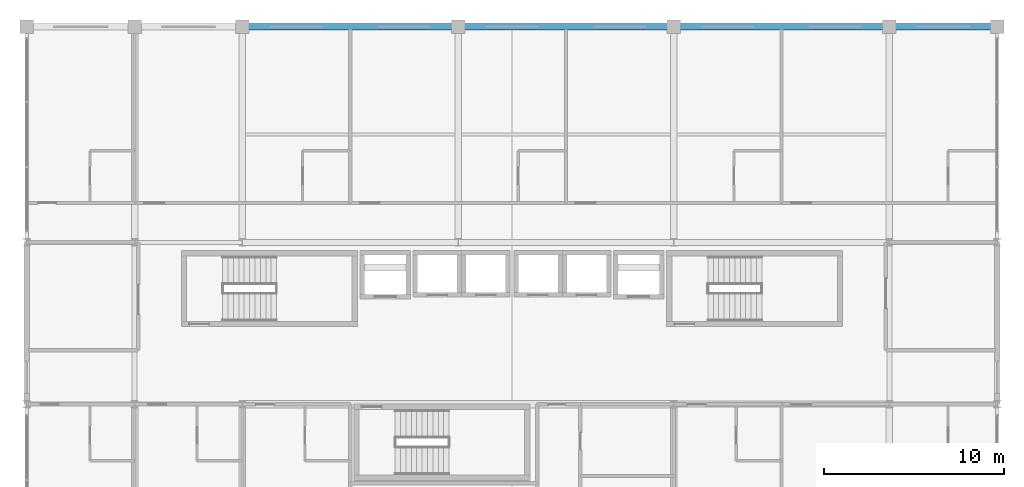
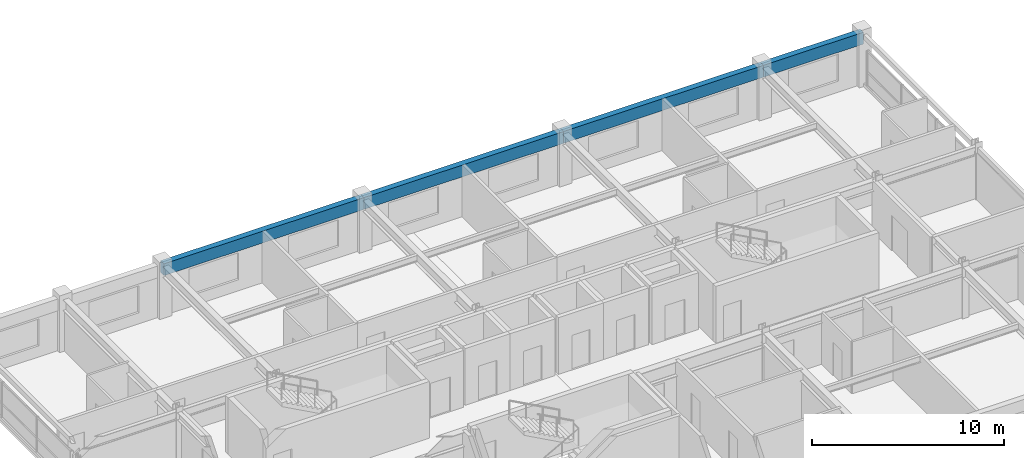
# One storey, part 13 of 20: 4 beams.
"""IFC4 building model written with IfcOpenShell, lengths in metres."""

import ifcopenshell
import ifcopenshell.guid

model = None  # the IFC model being written
_history = None  # IfcOwnerHistory: only IFC2X3 demands one
_inside = {}  # id of a spatial element -> (the spatial element, [elements in it])
_under = {}  # id of a project, library or spatial element -> (it, [spatial elements below it])
_declared = {}  # id of a project -> (the project, [libraries it declares])
_typed = {}  # id of a type object -> (the type object, [elements of that type])
_made_of = {}  # id of a material, layer set ... -> (it, [elements and type objects made of it])


def new_model(schema):
    """Start an empty IFC model of exactly this schema.

    Asked for "IFC4X3", IfcOpenShell would pick the latest addendum, in which some entities
    have other attributes; the version numbers below select the first issue.
    IFC2X3 requires an IfcOwnerHistory on every rooted entity: one is made here for all.
    """
    global model, _history
    if schema == "IFC4X3":
        model = ifcopenshell.file(schema_version=(4, 3, 0, 0))
    else:
        model = ifcopenshell.file(schema=schema)
    _inside.clear()
    _under.clear()
    _declared.clear()
    _typed.clear()
    _made_of.clear()
    _history = None
    if model.schema == "IFC2X3":
        org = make("IfcOrganization", Name="unknown")
        user = make(
            "IfcPersonAndOrganization",
            ThePerson=make("IfcPerson", FamilyName="unknown"),
            TheOrganization=org,
        )
        app = make(
            "IfcApplication",
            ApplicationDeveloper=org,
            Version="unknown",
            ApplicationFullName="unknown",
            ApplicationIdentifier="unknown",
        )
        _history = make(
            "IfcOwnerHistory",
            OwningUser=user,
            OwningApplication=app,
            ChangeAction="ADDED",
            CreationDate=0,
        )
    return model


def make(cls, **values):
    """One entity of the class cls with the attributes given. An attribute that is None is left unset."""
    return model.create_entity(
        cls, **{name: value for name, value in values.items() if value is not None}
    )


def rooted(cls, **values):
    """An entity with a GlobalId (a new one), such as an element, a storey or a relation."""
    return make(cls, GlobalId=ifcopenshell.guid.new(), OwnerHistory=_history, **values)


def si_unit(unit_type, name, prefix=None):
    """IfcSIUnit, for example si_unit("LENGTHUNIT", "METRE", prefix="MILLI")."""
    return make("IfcSIUnit", UnitType=unit_type, Prefix=prefix, Name=name)


def assignment(units):
    """IfcUnitAssignment: the units of a project."""
    return None if units is None else make("IfcUnitAssignment", Units=units)


def point(xyz):
    """IfcCartesianPoint."""
    return None if xyz is None else make("IfcCartesianPoint", Coordinates=xyz)


def direction(xyz):
    """IfcDirection."""
    return None if xyz is None else make("IfcDirection", DirectionRatios=xyz)


def frame(location, z_axis=None, x_axis=None):
    """IfcAxis2Placement3D, a coordinate frame: its origin and axes. An axis left out is left unset."""
    return make(
        "IfcAxis2Placement3D",
        Location=point(location),
        Axis=direction(z_axis),
        RefDirection=direction(x_axis),
    )


def frame_2d(location, x_axis=None):
    """IfcAxis2Placement2D, a coordinate frame in the plane: its origin and x axis."""
    return make(
        "IfcAxis2Placement2D", Location=point(location), RefDirection=direction(x_axis)
    )


def origin():
    """The frame at (0, 0, 0) with its axes left unset."""
    return frame((0.0, 0.0, 0.0))


def origin_2d():
    """The frame at (0, 0) in the plane with its x axis left unset."""
    return frame_2d((0.0, 0.0))


def place(relative_to, where):
    """IfcLocalPlacement: puts the frame where relative to a parent placement (None: the world)."""
    return make(
        "IfcLocalPlacement", PlacementRelTo=relative_to, RelativePlacement=where
    )


def context(
    kind, dimensions, precision=None, world=None, true_north=None, identifier=None
):
    """IfcGeometricRepresentationContext, for example the 3D "Model" context."""
    return make(
        "IfcGeometricRepresentationContext",
        ContextIdentifier=identifier,
        ContextType=kind,
        CoordinateSpaceDimension=dimensions,
        Precision=precision,
        WorldCoordinateSystem=world,
        TrueNorth=true_north,
    )


def subcontext(parent, identifier, kind, view, scale=None):
    """IfcGeometricRepresentationSubContext, for example "Body" below "Model"."""
    return make(
        "IfcGeometricRepresentationSubContext",
        ContextIdentifier=identifier,
        ContextType=kind,
        ParentContext=parent,
        TargetScale=scale,
        TargetView=view,
    )


def project(units=None, contexts=None):
    """IfcProject with its units and contexts."""
    return rooted(
        "IfcProject",
        Name="project",
        RepresentationContexts=contexts,
        UnitsInContext=assignment(units),
    )


def spatial(cls, under=None, at=None, **own):
    """A site, building, storey or space (cls), placed at a placement, below another one or the project."""
    s = rooted(cls, ObjectPlacement=at, **own)
    if under is not None:
        _under.setdefault(under.id(), (under, []))[1].append(s)
    return s


def profile(cls, at=None, kind="AREA", **sizes):
    """A parametric profile (cls). Its sizes go by their IFC names, for example OverallWidth=200.0."""
    return make(cls, ProfileType=kind, Position=at, **sizes)


def rectangle(**sizes):
    """IfcRectangleProfileDef."""
    return profile("IfcRectangleProfileDef", **sizes)


def extrude(swept, where, along, depth):
    """IfcExtrudedAreaSolid: the profile swept, set in the frame where, extruded along a direction by depth."""
    return make(
        "IfcExtrudedAreaSolid",
        SweptArea=swept,
        Position=where,
        ExtrudedDirection=direction(along),
        Depth=depth,
    )


def shape(context_of_items, identifier, shape_type, items):
    """IfcShapeRepresentation: the items that make up one representation, for example the "Body"."""
    return make(
        "IfcShapeRepresentation",
        ContextOfItems=context_of_items,
        RepresentationIdentifier=identifier,
        RepresentationType=shape_type,
        Items=items,
    )


def material(Name=None, Category=None):
    """IfcMaterial."""
    return make("IfcMaterial", Name=Name, Category=Category)


def material_profile(
    of_material, cross_section, Name=None, Category=None, Priority=None
):
    """IfcMaterialProfile: a cross section and its material."""
    return make(
        "IfcMaterialProfile",
        Name=Name,
        Material=of_material,
        Profile=cross_section,
        Priority=Priority,
        Category=Category,
    )


def profile_set(profiles, Name=None, composite=None):
    """IfcMaterialProfileSet."""
    return make(
        "IfcMaterialProfileSet",
        Name=Name,
        MaterialProfiles=profiles,
        CompositeProfile=composite,
    )


def made_of(thing, what):
    """Note that an element or type object is made of a material, layer set ...; save() writes the relation."""
    if what is not None:
        _made_of.setdefault(what.id(), (what, []))[1].append(thing)
    return thing


def type_object(cls, material=None, **own):
    """A type object (cls), such as IfcWallType, which elements share."""
    return made_of(rooted(cls, **own), material)


def element(
    cls,
    number,
    at=None,
    inside=None,
    cuts=None,
    type_object=None,
    material=None,
    context=None,
    identifier="Body",
    shape_type=None,
    held_by="IfcProductDefinitionShape",
    body=None,
    shapes=None,
    **own,
):
    """One element of the class cls, such as IfcWall. Its Tag is "e" and its number.

    at: its placement. inside: the storey or other place that contains it. cuts: it is an
    opening in that element (IfcRelVoidsElement). A single representation is given by context,
    identifier, shape_type and body (its items); several are given by shapes. held_by: the class
    of the entity that holds the representations. save() writes the other relations.
    """
    e = rooted(cls, Tag="e%d" % number, ObjectPlacement=at, **own)
    if body is not None:
        shapes = [shape(context, identifier, shape_type, body)]
    if shapes is not None:
        e.Representation = make(held_by, Representations=shapes)
    if inside is not None:
        _inside.setdefault(inside.id(), (inside, []))[1].append(e)
    if cuts is not None:
        rooted(
            "IfcRelVoidsElement", RelatingBuildingElement=cuts, RelatedOpeningElement=e
        )
    if type_object is not None:
        _typed.setdefault(type_object.id(), (type_object, []))[1].append(e)
    return made_of(e, material)


def aggregate(whole, parts):
    """IfcRelAggregates: a whole, such as a stair, and the parts it consists of."""
    return rooted("IfcRelAggregates", RelatingObject=whole, RelatedObjects=parts)


def save(model, path):
    """Write the relations noted so far, then the file.

    IfcRelAggregates (storeys below a building ...), IfcRelContainedInSpatialStructure (elements
    in a storey), IfcRelDefinesByType, IfcRelAssociatesMaterial and IfcRelDeclares: one each for
    every whole, place, type object, material and project.
    """
    for whole, parts in _under.values():
        aggregate(whole, parts)
    for where, things in _inside.values():
        rooted(
            "IfcRelContainedInSpatialStructure",
            RelatedElements=things,
            RelatingStructure=where,
        )
    for kind, things in _typed.values():
        rooted("IfcRelDefinesByType", RelatedObjects=things, RelatingType=kind)
    for what, things in _made_of.values():
        rooted("IfcRelAssociatesMaterial", RelatedObjects=things, RelatingMaterial=what)
    for by, libraries in _declared.values():
        rooted("IfcRelDeclares", RelatingContext=by, RelatedDefinitions=libraries)
    model.write(path)


model = new_model("IFC4")

# Units and contexts
model_context = context("Model", 3, precision=1e-05, world=origin(), true_north=direction((0.0, 1.0)))
body_context = subcontext(model_context, "Body", "Model", "MODEL_VIEW")
ifc_project = project(units=[si_unit("LENGTHUNIT", "METRE"), si_unit("AREAUNIT", "SQUARE_METRE"), si_unit("VOLUMEUNIT", "CUBIC_METRE"), si_unit("PLANEANGLEUNIT", "RADIAN"), si_unit("MASSUNIT", "GRAM", prefix="KILO")], contexts=[model_context])

# Site, building, storey
site_placement = place(None, origin())
site = spatial("IfcSite", under=ifc_project, at=site_placement, CompositionType="ELEMENT")
building_placement = place(site_placement, origin())
building = spatial("IfcBuilding", under=site, at=building_placement, Name="Kaldorvane Square Convention Centre", CompositionType="ELEMENT")
storey_placement = place(building_placement, frame((0.0, 0.0, 52.80000305175781)))
storey = spatial("IfcBuildingStorey", under=building, at=storey_placement, Name="L12", CompositionType="ELEMENT", Elevation=52.80000305175781)

# Beams
ifc_material = material(Name="Concrete f'c = 42 MPa (Normalweight)", Category="concrete")
ifc_material_profile = material_profile(ifc_material, rectangle(XDim=0.350006103515625, YDim=0.75, at=origin_2d()), Name="RCSP750X350")
ifc_profile_set = profile_set([ifc_material_profile], Name="Concrete f'c = 42 MPa (Normalweight)")
beam_type = type_object("IfcBeamType", Name="BM-SP-RC750", PredefinedType="SPANDREL", material=ifc_profile_set)
for number, where, z_axis, x_axis, name in (
    (1, (42.0, 117.0, 2.9109954833984375), (1.0, 0.0, 0.0), (0.0, 1.0, 0.0), "Perimeter Spandrel (L12)"),
    (2, (54.0, 117.0, 2.9109954833984375), (1.0, 0.0, 0.0), (0.0, 1.0, 0.0), "Perimeter Spandrel (L12)"),
    (3, (66.0, 117.0, 2.9109954833984375), (1.0, 0.0, 0.0), (0.0, 1.0, 0.0), "Perimeter Spandrel (L12)"),
):
    element("IfcBeam", number, at=place(storey_placement, frame(where, z_axis=z_axis, x_axis=x_axis)), inside=storey, type_object=beam_type, Name=name, PredefinedType="SPANDREL", context=body_context, shape_type="SweptSolid", body=[
        extrude(rectangle(XDim=0.350006103515625, YDim=0.75, at=origin_2d()), origin(), (0.0, 0.0, 1.0), 12.0),
    ])
beam_placement = place(storey_placement, frame((78.0, 117.0, 2.9109954833984375), z_axis=(1.0, 0.0, 0.0), x_axis=(0.0, 1.0, 0.0)))
element("IfcBeam", 4, at=beam_placement, inside=storey, type_object=beam_type, Name="Perimeter Spandrel (L12)", PredefinedType="SPANDREL", context=body_context, shape_type="SweptSolid", body=[
    extrude(rectangle(XDim=0.350006103515625, YDim=0.75, at=origin_2d()), origin(), (0.0, 0.0, 1.0), 6.0),
])

save(model, "model.ifc")
